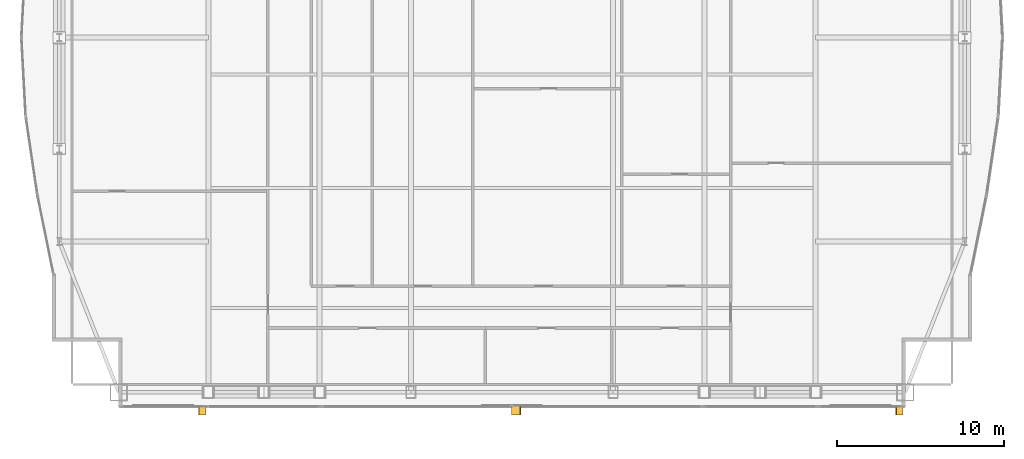
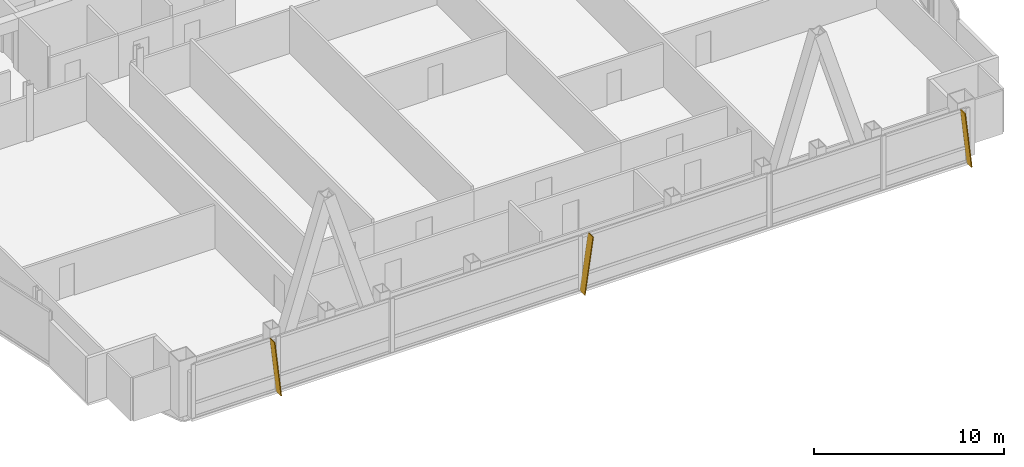
# One storey, part 30 of 31: 3 shading devices.
"""IFC4 building model written with IfcOpenShell, lengths in metres."""

import ifcopenshell
import ifcopenshell.guid

model = None  # the IFC model being written
_history = None  # IfcOwnerHistory: only IFC2X3 demands one
_inside = {}  # id of a spatial element -> (the spatial element, [elements in it])
_under = {}  # id of a project, library or spatial element -> (it, [spatial elements below it])
_declared = {}  # id of a project -> (the project, [libraries it declares])
_typed = {}  # id of a type object -> (the type object, [elements of that type])
_made_of = {}  # id of a material, layer set ... -> (it, [elements and type objects made of it])


def new_model(schema):
    """Start an empty IFC model of exactly this schema.

    Asked for "IFC4X3", IfcOpenShell would pick the latest addendum, in which some entities
    have other attributes; the version numbers below select the first issue.
    IFC2X3 requires an IfcOwnerHistory on every rooted entity: one is made here for all.
    """
    global model, _history
    if schema == "IFC4X3":
        model = ifcopenshell.file(schema_version=(4, 3, 0, 0))
    else:
        model = ifcopenshell.file(schema=schema)
    _inside.clear()
    _under.clear()
    _declared.clear()
    _typed.clear()
    _made_of.clear()
    _history = None
    if model.schema == "IFC2X3":
        org = make("IfcOrganization", Name="unknown")
        user = make(
            "IfcPersonAndOrganization",
            ThePerson=make("IfcPerson", FamilyName="unknown"),
            TheOrganization=org,
        )
        app = make(
            "IfcApplication",
            ApplicationDeveloper=org,
            Version="unknown",
            ApplicationFullName="unknown",
            ApplicationIdentifier="unknown",
        )
        _history = make(
            "IfcOwnerHistory",
            OwningUser=user,
            OwningApplication=app,
            ChangeAction="ADDED",
            CreationDate=0,
        )
    return model


def make(cls, **values):
    """One entity of the class cls with the attributes given. An attribute that is None is left unset."""
    return model.create_entity(
        cls, **{name: value for name, value in values.items() if value is not None}
    )


def rooted(cls, **values):
    """An entity with a GlobalId (a new one), such as an element, a storey or a relation."""
    return make(cls, GlobalId=ifcopenshell.guid.new(), OwnerHistory=_history, **values)


def si_unit(unit_type, name, prefix=None):
    """IfcSIUnit, for example si_unit("LENGTHUNIT", "METRE", prefix="MILLI")."""
    return make("IfcSIUnit", UnitType=unit_type, Prefix=prefix, Name=name)


def assignment(units):
    """IfcUnitAssignment: the units of a project."""
    return None if units is None else make("IfcUnitAssignment", Units=units)


def point(xyz):
    """IfcCartesianPoint."""
    return None if xyz is None else make("IfcCartesianPoint", Coordinates=xyz)


def direction(xyz):
    """IfcDirection."""
    return None if xyz is None else make("IfcDirection", DirectionRatios=xyz)


def frame(location, z_axis=None, x_axis=None):
    """IfcAxis2Placement3D, a coordinate frame: its origin and axes. An axis left out is left unset."""
    return make(
        "IfcAxis2Placement3D",
        Location=point(location),
        Axis=direction(z_axis),
        RefDirection=direction(x_axis),
    )


def origin():
    """The frame at (0, 0, 0) with its axes left unset."""
    return frame((0.0, 0.0, 0.0))


def place(relative_to, where):
    """IfcLocalPlacement: puts the frame where relative to a parent placement (None: the world)."""
    return make(
        "IfcLocalPlacement", PlacementRelTo=relative_to, RelativePlacement=where
    )


def context(
    kind, dimensions, precision=None, world=None, true_north=None, identifier=None
):
    """IfcGeometricRepresentationContext, for example the 3D "Model" context."""
    return make(
        "IfcGeometricRepresentationContext",
        ContextIdentifier=identifier,
        ContextType=kind,
        CoordinateSpaceDimension=dimensions,
        Precision=precision,
        WorldCoordinateSystem=world,
        TrueNorth=true_north,
    )


def subcontext(parent, identifier, kind, view, scale=None):
    """IfcGeometricRepresentationSubContext, for example "Body" below "Model"."""
    return make(
        "IfcGeometricRepresentationSubContext",
        ContextIdentifier=identifier,
        ContextType=kind,
        ParentContext=parent,
        TargetScale=scale,
        TargetView=view,
    )


def project(units=None, contexts=None):
    """IfcProject with its units and contexts."""
    return rooted(
        "IfcProject",
        Name="project",
        RepresentationContexts=contexts,
        UnitsInContext=assignment(units),
    )


def spatial(cls, under=None, at=None, **own):
    """A site, building, storey or space (cls), placed at a placement, below another one or the project."""
    s = rooted(cls, ObjectPlacement=at, **own)
    if under is not None:
        _under.setdefault(under.id(), (under, []))[1].append(s)
    return s


def polyline(points):
    """IfcPolyline through the points."""
    return make("IfcPolyline", Points=[point(p) for p in points])


def outline(outer, holes=None, kind="AREA"):
    """IfcArbitraryClosedProfileDef: a profile drawn as a closed curve; with holes, ...WithVoids."""
    if holes is None:
        return make("IfcArbitraryClosedProfileDef", ProfileType=kind, OuterCurve=outer)
    return make(
        "IfcArbitraryProfileDefWithVoids",
        ProfileType=kind,
        OuterCurve=outer,
        InnerCurves=holes,
    )


def extrude(swept, where, along, depth):
    """IfcExtrudedAreaSolid: the profile swept, set in the frame where, extruded along a direction by depth."""
    return make(
        "IfcExtrudedAreaSolid",
        SweptArea=swept,
        Position=where,
        ExtrudedDirection=direction(along),
        Depth=depth,
    )


def shape(context_of_items, identifier, shape_type, items):
    """IfcShapeRepresentation: the items that make up one representation, for example the "Body"."""
    return make(
        "IfcShapeRepresentation",
        ContextOfItems=context_of_items,
        RepresentationIdentifier=identifier,
        RepresentationType=shape_type,
        Items=items,
    )


def material(Name=None, Category=None):
    """IfcMaterial."""
    return make("IfcMaterial", Name=Name, Category=Category)


def layer(
    of_material, thickness, ventilated=None, Name=None, Category=None, Priority=None
):
    """IfcMaterialLayer: one layer of a wall or slab, of a material (None: an air gap)."""
    return make(
        "IfcMaterialLayer",
        Material=of_material,
        LayerThickness=thickness,
        IsVentilated=ventilated,
        Name=Name,
        Category=Category,
        Priority=Priority,
    )


def layer_set(layers, Name=None):
    """IfcMaterialLayerSet."""
    return make("IfcMaterialLayerSet", MaterialLayers=layers, LayerSetName=Name)


def made_of(thing, what):
    """Note that an element or type object is made of a material, layer set ...; save() writes the relation."""
    if what is not None:
        _made_of.setdefault(what.id(), (what, []))[1].append(thing)
    return thing


def type_object(cls, material=None, **own):
    """A type object (cls), such as IfcWallType, which elements share."""
    return made_of(rooted(cls, **own), material)


def element(
    cls,
    number,
    at=None,
    inside=None,
    cuts=None,
    type_object=None,
    material=None,
    context=None,
    identifier="Body",
    shape_type=None,
    held_by="IfcProductDefinitionShape",
    body=None,
    shapes=None,
    **own,
):
    """One element of the class cls, such as IfcWall. Its Tag is "e" and its number.

    at: its placement. inside: the storey or other place that contains it. cuts: it is an
    opening in that element (IfcRelVoidsElement). A single representation is given by context,
    identifier, shape_type and body (its items); several are given by shapes. held_by: the class
    of the entity that holds the representations. save() writes the other relations.
    """
    e = rooted(cls, Tag="e%d" % number, ObjectPlacement=at, **own)
    if body is not None:
        shapes = [shape(context, identifier, shape_type, body)]
    if shapes is not None:
        e.Representation = make(held_by, Representations=shapes)
    if inside is not None:
        _inside.setdefault(inside.id(), (inside, []))[1].append(e)
    if cuts is not None:
        rooted(
            "IfcRelVoidsElement", RelatingBuildingElement=cuts, RelatedOpeningElement=e
        )
    if type_object is not None:
        _typed.setdefault(type_object.id(), (type_object, []))[1].append(e)
    return made_of(e, material)


def aggregate(whole, parts):
    """IfcRelAggregates: a whole, such as a stair, and the parts it consists of."""
    return rooted("IfcRelAggregates", RelatingObject=whole, RelatedObjects=parts)


def save(model, path):
    """Write the relations noted so far, then the file.

    IfcRelAggregates (storeys below a building ...), IfcRelContainedInSpatialStructure (elements
    in a storey), IfcRelDefinesByType, IfcRelAssociatesMaterial and IfcRelDeclares: one each for
    every whole, place, type object, material and project.
    """
    for whole, parts in _under.values():
        aggregate(whole, parts)
    for where, things in _inside.values():
        rooted(
            "IfcRelContainedInSpatialStructure",
            RelatedElements=things,
            RelatingStructure=where,
        )
    for kind, things in _typed.values():
        rooted("IfcRelDefinesByType", RelatedObjects=things, RelatingType=kind)
    for what, things in _made_of.values():
        rooted("IfcRelAssociatesMaterial", RelatedObjects=things, RelatingMaterial=what)
    for by, libraries in _declared.values():
        rooted("IfcRelDeclares", RelatingContext=by, RelatedDefinitions=libraries)
    model.write(path)


model = new_model("IFC4")

# Units and contexts
model_context = context("Model", 3, precision=1e-05, world=origin(), true_north=direction((0.0, 1.0)))
body_context = subcontext(model_context, "Body", "Model", "MODEL_VIEW")
ifc_project = project(units=[si_unit("LENGTHUNIT", "METRE"), si_unit("AREAUNIT", "SQUARE_METRE"), si_unit("VOLUMEUNIT", "CUBIC_METRE"), si_unit("PLANEANGLEUNIT", "RADIAN"), si_unit("MASSUNIT", "GRAM", prefix="KILO")], contexts=[model_context])

# Site, building, storey
site_placement = place(None, origin())
site = spatial("IfcSite", under=ifc_project, at=site_placement, CompositionType="ELEMENT")
building_placement = place(site_placement, origin())
building = spatial("IfcBuilding", under=site, at=building_placement, Name="Khoronbel Lancet Exchange", CompositionType="ELEMENT")
storey_placement = place(building_placement, frame((0.0, 0.0, 273.39990234375)))
storey = spatial("IfcBuildingStorey", under=building, at=storey_placement, Name="L70", CompositionType="ELEMENT", Elevation=273.39990234375)

# Shading devices
ifc_material = material(Name="Bronze-Anodised Aluminium 6063-T6", Category="aluminium")
ifc_layer = layer(ifc_material, 0.054931640625, Name="Bronze-Anodised Aluminium 6063-T6")
ifc_layer_set = layer_set([ifc_layer], Name="Bronze-Anodised Aluminium 6063-T6")
shading_device_type = type_object("IfcShadingDeviceType", Name="SHD-FIN1", PredefinedType="USERDEFINED", material=ifc_layer_set)
shading_device_1_placement = place(storey_placement, frame((18.072509765625, 9.31005859375, -0.079833984375), z_axis=(0.99389951861, 0.0, 0.110289378034), x_axis=(0.0, -1.0, 0.0)))
element("IfcShadingDevice", 1, at=shading_device_1_placement, inside=storey, type_object=shading_device_type, Name="Slanted bronze solar fin CW-L70-SWV-1", ObjectType="FIN", PredefinedType="USERDEFINED", context=body_context, shape_type="SweptSolid", body=[
    extrude(outline(polyline([(0.0, 0.0), (0.52001953125, 0.0), (0.52001953125, -3.58154296875), (0.0, -3.58154296875), (0.0, 0.0)])), origin(), (0.0, 0.0, -1.0), 0.054931640625),
])
shading_device_2_placement = place(storey_placement, frame((36.422607421875, 9.31005859375, -0.079833984375), z_axis=(-0.990091586433, 0.0, 0.14042311232), x_axis=(0.0, -1.0, 0.0)))
element("IfcShadingDevice", 2, at=shading_device_2_placement, inside=storey, type_object=shading_device_type, Name="Slanted bronze solar fin CW-L70-SCV-1", ObjectType="FIN", PredefinedType="USERDEFINED", context=body_context, shape_type="SweptSolid", body=[
    extrude(outline(polyline([(0.0, 0.0), (0.52001953125, 0.0), (0.52001953125, 3.595458984375), (0.0, 3.595458984375), (0.0, 0.0)])), origin(), (0.0, 0.0, -1.0), 0.054931640625),
])
shading_device_3_placement = place(storey_placement, frame((59.9326171875, 9.31005859375, -0.079833984375), z_axis=(0.99389951861, 0.0, 0.110289378034), x_axis=(0.0, -1.0, 0.0)))
element("IfcShadingDevice", 3, at=shading_device_3_placement, inside=storey, type_object=shading_device_type, Name="Slanted bronze solar fin CW-L70-SEV-1", ObjectType="FIN", PredefinedType="USERDEFINED", context=body_context, shape_type="SweptSolid", body=[
    extrude(outline(polyline([(0.0, 0.0), (0.52001953125, 0.0), (0.52001953125, -3.58154296875), (0.0, -3.58154296875), (0.0, 0.0)])), origin(), (0.0, 0.0, -1.0), 0.054931640625),
])

save(model, "model.ifc")
